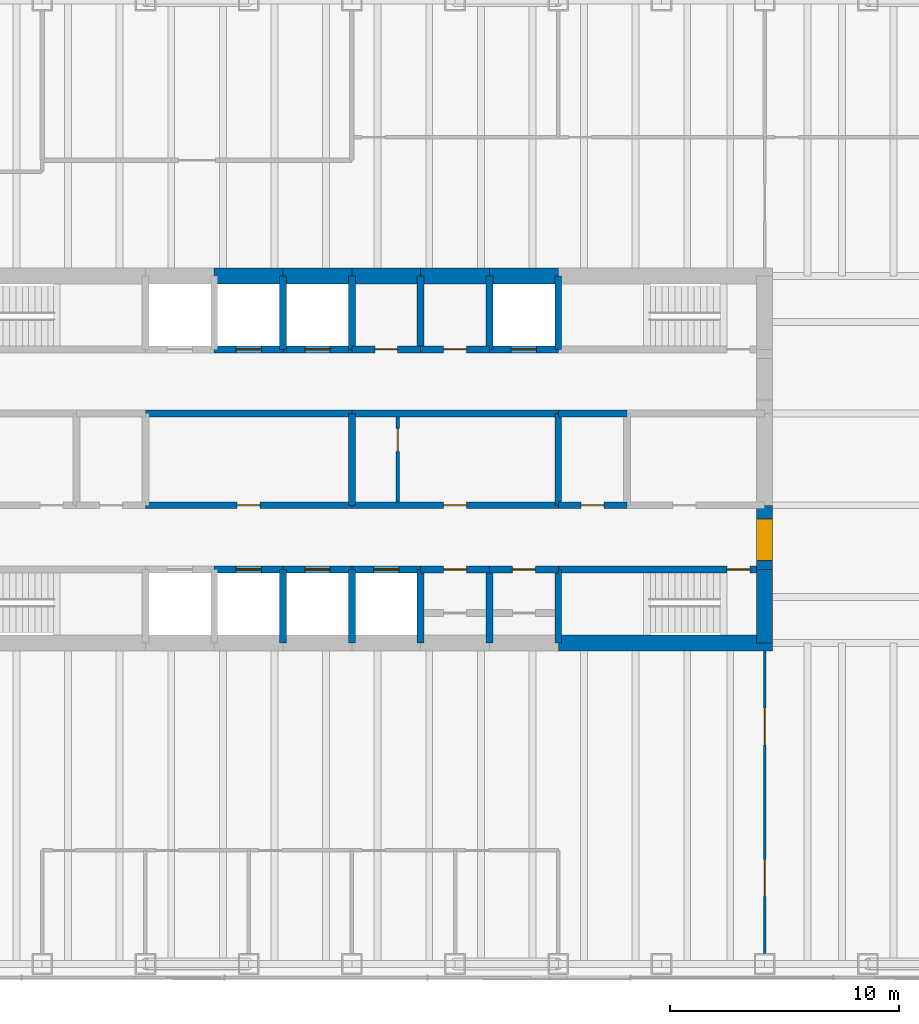
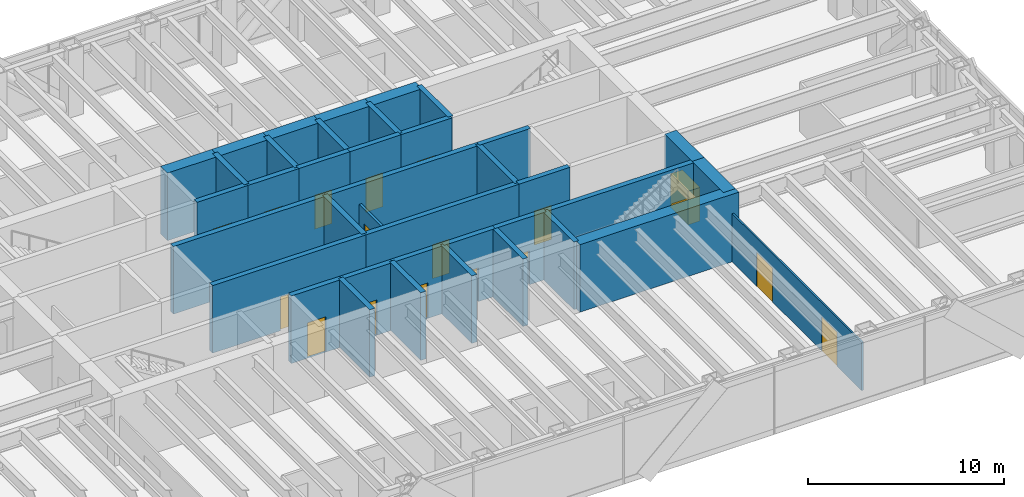
# One storey, part 12 of 15: 39 walls, 18 doors, 18 openings.
"""IFC4 building model written with IfcOpenShell, lengths in metres."""

from ifc_helpers import new_model, si_unit, direction, frame, frame_2d, origin, place, context, subcontext, project, spatial, rectangle, extrude, material, layer, layer_set, type_object, element, fill, save


model = new_model("IFC4")

# Units and contexts
model_context = context("Model", 3, precision=1e-05, world=origin(), true_north=direction((0.0, 1.0)))
body_context = subcontext(model_context, "Body", "Model", "MODEL_VIEW")
ifc_project = project(units=[si_unit("LENGTHUNIT", "METRE"), si_unit("AREAUNIT", "SQUARE_METRE"), si_unit("VOLUMEUNIT", "CUBIC_METRE"), si_unit("PLANEANGLEUNIT", "RADIAN"), si_unit("MASSUNIT", "GRAM", prefix="KILO")], contexts=[model_context])

# Site, building, storey
site_placement = place(None, origin())
site = spatial("IfcSite", under=ifc_project, at=site_placement, CompositionType="ELEMENT")
building_placement = place(site_placement, origin())
building = spatial("IfcBuilding", under=site, at=building_placement, Name="Rheinbord Bourse Tower", CompositionType="ELEMENT")
storey_placement = place(building_placement, frame((0.0, 0.0, 308.89990234375)))
storey = spatial("IfcBuildingStorey", under=building, at=storey_placement, Name="L70", CompositionType="ELEMENT", Elevation=308.89990234375)

# Wall, opening, door
ifc_material_1 = material(Name="Concrete C50/60", Category="concrete")
ifc_layer_1 = layer(ifc_material_1, 0.300048828125)
ifc_layer_set_1 = layer_set([ifc_layer_1], Name="CORE INNER WALL 300")
wall_type_1 = type_object("IfcWallType", Name="CORE INNER WALL 300", PredefinedType="SOLIDWALL", material=ifc_layer_set_1)
wall_1_placement = place(storey_placement, frame((30.0, 19.199951171875, 0.0), z_axis=(0.0, 0.0, 1.0), x_axis=(1.0, 0.0, 0.0)))
wall_1 = element("IfcWall", 1, at=wall_1_placement, inside=storey, type_object=wall_type_1, Name="Core wall A3 L70", PredefinedType="SOLIDWALL", context=body_context, shape_type="SweptSolid", body=[
    extrude(rectangle(XDim=3.0, YDim=0.300048828125, at=frame_2d((1.5, 0.0))), origin(), (0.0, 0.0, 1.0), 4.2001953125),
])
opening_1_placement = place(wall_1_placement, frame((0.949951171875, 0.0, 0.0)))
opening_1 = element("IfcOpeningElement", 2, at=opening_1_placement, cuts=wall_1, Name="Opening PD1", PredefinedType="OPENING", context=body_context, shape_type="SweptSolid", body=[
    extrude(rectangle(XDim=1.10009765625, YDim=2.199951171875, at=frame_2d((0.550048828125, 1.10009765625))), frame((0.0, 0.159912109375, 0.0), z_axis=(0.0, -1.0, 0.0), x_axis=(1.0, 0.0, 0.0)), (0.0, 0.0, 1.0), 0.320068359375),
])
ifc_material_2 = material(Name="Steel landing door", Category="steel")
door_type_1 = type_object("IfcDoorType", Name="LIFT LANDING DOOR 1100", OperationType="DOUBLE_DOOR_SLIDING", PredefinedType="USERDEFINED", material=ifc_material_2)
door_1_placement = place(opening_1_placement, origin())
door_1 = element("IfcDoor", 3, at=door_1_placement, inside=storey, type_object=door_type_1, Name="Lift landing door PD1 L70", ObjectType="LIFT LANDING DOOR", OperationType="DOUBLE_DOOR_SLIDING", OverallHeight=2.199951171875, OverallWidth=1.10009765625, PredefinedType="USERDEFINED", context=body_context, shape_type="SweptSolid", body=[
    extrude(rectangle(XDim=1.10009765625, YDim=2.199951171875, at=frame_2d((0.550048828125, 1.10009765625))), frame((0.0, 0.02490234375, 0.0), z_axis=(0.0, -1.0, 0.0), x_axis=(1.0, 0.0, 0.0)), (0.0, 0.0, 1.0), 0.050048828125),
])
fill(opening_1, door_1)

wall_2_placement = place(storey_placement, frame((33.0, 19.199951171875, 0.0), z_axis=(0.0, 0.0, 1.0), x_axis=(1.0, 0.0, 0.0)))
wall_2 = element("IfcWall", 4, at=wall_2_placement, inside=storey, type_object=wall_type_1, Name="Core wall A4 L70", PredefinedType="SOLIDWALL", context=body_context, shape_type="SweptSolid", body=[
    extrude(rectangle(XDim=3.0, YDim=0.300048828125, at=frame_2d((1.5, 0.0))), origin(), (0.0, 0.0, 1.0), 4.2001953125),
])
opening_2_placement = place(wall_2_placement, frame((0.949951171875, 0.0, 0.0)))
opening_2 = element("IfcOpeningElement", 5, at=opening_2_placement, cuts=wall_2, Name="Opening PD2", PredefinedType="OPENING", context=body_context, shape_type="SweptSolid", body=[
    extrude(rectangle(XDim=1.10009765625, YDim=2.199951171875, at=frame_2d((0.550048828125, 1.10009765625))), frame((0.0, 0.159912109375, 0.0), z_axis=(0.0, -1.0, 0.0), x_axis=(1.0, 0.0, 0.0)), (0.0, 0.0, 1.0), 0.320068359375),
])
door_2_placement = place(opening_2_placement, origin())
door_2 = element("IfcDoor", 6, at=door_2_placement, inside=storey, type_object=door_type_1, Name="Lift landing door PD2 L70", ObjectType="LIFT LANDING DOOR", OperationType="DOUBLE_DOOR_SLIDING", OverallHeight=2.199951171875, OverallWidth=1.10009765625, PredefinedType="USERDEFINED", context=body_context, shape_type="SweptSolid", body=[
    extrude(rectangle(XDim=1.10009765625, YDim=2.199951171875, at=frame_2d((0.550048828125, 1.10009765625))), frame((0.0, 0.02490234375, 0.0), z_axis=(0.0, -1.0, 0.0), x_axis=(1.0, 0.0, 0.0)), (0.0, 0.0, 1.0), 0.050048828125),
])
fill(opening_2, door_2)

wall_3_placement = place(storey_placement, frame((36.0, 19.199951171875, 0.0), z_axis=(0.0, 0.0, 1.0), x_axis=(1.0, 0.0, 0.0)))
wall_3 = element("IfcWall", 7, at=wall_3_placement, inside=storey, type_object=wall_type_1, Name="Core wall A5 L70", PredefinedType="SOLIDWALL", context=body_context, shape_type="SweptSolid", body=[
    extrude(rectangle(XDim=3.0, YDim=0.300048828125, at=frame_2d((1.5, 0.0))), origin(), (0.0, 0.0, 1.0), 4.2001953125),
])
opening_3_placement = place(wall_3_placement, frame((0.949951171875, 0.0, 0.0)))
opening_3 = element("IfcOpeningElement", 8, at=opening_3_placement, cuts=wall_3, Name="Opening PD3", PredefinedType="OPENING", context=body_context, shape_type="SweptSolid", body=[
    extrude(rectangle(XDim=1.10009765625, YDim=2.199951171875, at=frame_2d((0.550048828125, 1.10009765625))), frame((0.0, 0.159912109375, 0.0), z_axis=(0.0, -1.0, 0.0), x_axis=(1.0, 0.0, 0.0)), (0.0, 0.0, 1.0), 0.320068359375),
])
door_3_placement = place(opening_3_placement, origin())
door_3 = element("IfcDoor", 9, at=door_3_placement, inside=storey, type_object=door_type_1, Name="Lift landing door PD3 L70", ObjectType="LIFT LANDING DOOR", OperationType="DOUBLE_DOOR_SLIDING", OverallHeight=2.199951171875, OverallWidth=1.10009765625, PredefinedType="USERDEFINED", context=body_context, shape_type="SweptSolid", body=[
    extrude(rectangle(XDim=1.10009765625, YDim=2.199951171875, at=frame_2d((0.550048828125, 1.10009765625))), frame((0.0, 0.02490234375, 0.0), z_axis=(0.0, -1.0, 0.0), x_axis=(1.0, 0.0, 0.0)), (0.0, 0.0, 1.0), 0.050048828125),
])
fill(opening_3, door_3)

wall_4_placement = place(storey_placement, frame((39.0, 19.199951171875, 0.0), z_axis=(0.0, 0.0, 1.0), x_axis=(1.0, 0.0, 0.0)))
wall_4 = element("IfcWall", 10, at=wall_4_placement, inside=storey, type_object=wall_type_1, Name="Core wall A6 L70", PredefinedType="SOLIDWALL", context=body_context, shape_type="SweptSolid", body=[
    extrude(rectangle(XDim=3.0, YDim=0.300048828125, at=frame_2d((1.5, 0.0))), origin(), (0.0, 0.0, 1.0), 4.2001953125),
])
opening_4_placement = place(wall_4_placement, frame((1.0, 0.0, 0.0)))
opening_4 = element("IfcOpeningElement", 11, at=opening_4_placement, cuts=wall_4, Name="Opening 70R8", PredefinedType="OPENING", context=body_context, shape_type="SweptSolid", body=[
    extrude(rectangle(XDim=1.0, YDim=2.10009765625, at=frame_2d((0.5, 1.050048828125))), frame((0.0, 0.159912109375, 0.0), z_axis=(0.0, -1.0, 0.0), x_axis=(1.0, 0.0, 0.0)), (0.0, 0.0, 1.0), 0.320068359375),
])
ifc_material_3 = material(Name="Steel door", Category="steel")
door_type_2 = type_object("IfcDoorType", Name="DOOR 1000 EI30", OperationType="SINGLE_SWING_LEFT", PredefinedType="DOOR", material=ifc_material_3)
door_4_placement = place(opening_4_placement, origin())
door_4 = element("IfcDoor", 12, at=door_4_placement, inside=storey, type_object=door_type_2, Name="Supplies store door L70", OperationType="SINGLE_SWING_LEFT", OverallHeight=2.10009765625, OverallWidth=1.0, PredefinedType="DOOR", context=body_context, shape_type="SweptSolid", body=[
    extrude(rectangle(XDim=1.0, YDim=2.10009765625, at=frame_2d((0.5, 1.050048828125))), frame((0.0, 0.02490234375, 0.0), z_axis=(0.0, -1.0, 0.0), x_axis=(1.0, 0.0, 0.0)), (0.0, 0.0, 1.0), 0.050048828125),
])
fill(opening_4, door_4)

wall_5_placement = place(storey_placement, frame((42.0, 19.199951171875, 0.0), z_axis=(0.0, 0.0, 1.0), x_axis=(1.0, 0.0, 0.0)))
wall_5 = element("IfcWall", 13, at=wall_5_placement, inside=storey, type_object=wall_type_1, Name="Core wall A7 L70", PredefinedType="SOLIDWALL", context=body_context, shape_type="SweptSolid", body=[
    extrude(rectangle(XDim=3.0, YDim=0.300048828125, at=frame_2d((1.5, 0.0))), origin(), (0.0, 0.0, 1.0), 4.2001953125),
])
opening_5_placement = place(wall_5_placement, frame((1.0, 0.0, 0.0)))
opening_5 = element("IfcOpeningElement", 14, at=opening_5_placement, cuts=wall_5, Name="Opening 70R9", PredefinedType="OPENING", context=body_context, shape_type="SweptSolid", body=[
    extrude(rectangle(XDim=1.0, YDim=2.10009765625, at=frame_2d((0.5, 1.050048828125))), frame((0.0, 0.159912109375, 0.0), z_axis=(0.0, -1.0, 0.0), x_axis=(1.0, 0.0, 0.0)), (0.0, 0.0, 1.0), 0.320068359375),
])
door_5_placement = place(opening_5_placement, origin())
door_5 = element("IfcDoor", 15, at=door_5_placement, inside=storey, type_object=door_type_2, Name="IT room door L70", OperationType="SINGLE_SWING_LEFT", OverallHeight=2.10009765625, OverallWidth=1.0, PredefinedType="DOOR", context=body_context, shape_type="SweptSolid", body=[
    extrude(rectangle(XDim=1.0, YDim=2.10009765625, at=frame_2d((0.5, 1.050048828125))), frame((0.0, 0.02490234375, 0.0), z_axis=(0.0, -1.0, 0.0), x_axis=(1.0, 0.0, 0.0)), (0.0, 0.0, 1.0), 0.050048828125),
])
fill(opening_5, door_5)

wall_6_placement = place(storey_placement, frame((45.0, 19.199951171875, 0.0), z_axis=(0.0, 0.0, 1.0), x_axis=(1.0, 0.0, 0.0)))
wall_6 = element("IfcWall", 16, at=wall_6_placement, inside=storey, type_object=wall_type_1, Name="Core wall A8 L70", PredefinedType="SOLIDWALL", context=body_context, shape_type="SweptSolid", body=[
    extrude(rectangle(XDim=9.0, YDim=0.300048828125, at=frame_2d((4.5, 0.0))), origin(), (0.0, 0.0, 1.0), 4.2001953125),
])
opening_6_placement = place(wall_6_placement, frame((7.35009765625, 0.0, 0.0)))
opening_6 = element("IfcOpeningElement", 17, at=opening_6_placement, cuts=wall_6, Name="Opening 7030", PredefinedType="OPENING", context=body_context, shape_type="SweptSolid", body=[
    extrude(rectangle(XDim=1.0, YDim=2.10009765625, at=frame_2d((0.5, 1.050048828125))), frame((0.0, 0.159912109375, 0.0), z_axis=(0.0, -1.0, 0.0), x_axis=(1.0, 0.0, 0.0)), (0.0, 0.0, 1.0), 0.320068359375),
])
door_6_placement = place(opening_6_placement, origin())
door_6 = element("IfcDoor", 18, at=door_6_placement, inside=storey, type_object=door_type_2, Name="Stair door ST3 L70", OperationType="SINGLE_SWING_RIGHT", OverallHeight=2.10009765625, OverallWidth=1.0, PredefinedType="DOOR", context=body_context, shape_type="SweptSolid", body=[
    extrude(rectangle(XDim=1.0, YDim=2.10009765625, at=frame_2d((0.5, 1.050048828125))), frame((0.0, 0.02490234375, 0.0), z_axis=(0.0, -1.0, 0.0), x_axis=(1.0, 0.0, 0.0)), (0.0, 0.0, 1.0), 0.050048828125),
])
fill(opening_6, door_6)

wall_7_placement = place(storey_placement, frame((30.0, 28.800048828125, 0.0), z_axis=(0.0, 0.0, 1.0), x_axis=(1.0, 0.0, 0.0)))
wall_7 = element("IfcWall", 19, at=wall_7_placement, inside=storey, type_object=wall_type_1, Name="Core wall B3 L70", PredefinedType="SOLIDWALL", context=body_context, shape_type="SweptSolid", body=[
    extrude(rectangle(XDim=3.0, YDim=0.300048828125, at=frame_2d((1.5, 0.0))), origin(), (0.0, 0.0, 1.0), 4.2001953125),
])
opening_7_placement = place(wall_7_placement, frame((0.949951171875, 0.0, 0.0)))
opening_7 = element("IfcOpeningElement", 20, at=opening_7_placement, cuts=wall_7, Name="Opening PD4", PredefinedType="OPENING", context=body_context, shape_type="SweptSolid", body=[
    extrude(rectangle(XDim=1.10009765625, YDim=2.199951171875, at=frame_2d((0.550048828125, 1.10009765625))), frame((0.0, 0.159912109375, 0.0), z_axis=(0.0, -1.0, 0.0), x_axis=(1.0, 0.0, 0.0)), (0.0, 0.0, 1.0), 0.320068359375),
])
door_7_placement = place(opening_7_placement, origin())
door_7 = element("IfcDoor", 21, at=door_7_placement, inside=storey, type_object=door_type_1, Name="Lift landing door PD4 L70", ObjectType="LIFT LANDING DOOR", OperationType="DOUBLE_DOOR_SLIDING", OverallHeight=2.199951171875, OverallWidth=1.10009765625, PredefinedType="USERDEFINED", context=body_context, shape_type="SweptSolid", body=[
    extrude(rectangle(XDim=1.10009765625, YDim=2.199951171875, at=frame_2d((0.550048828125, 1.10009765625))), frame((0.0, 0.02490234375, 0.0), z_axis=(0.0, -1.0, 0.0), x_axis=(1.0, 0.0, 0.0)), (0.0, 0.0, 1.0), 0.050048828125),
])
fill(opening_7, door_7)

wall_8_placement = place(storey_placement, frame((33.0, 28.800048828125, 0.0), z_axis=(0.0, 0.0, 1.0), x_axis=(1.0, 0.0, 0.0)))
wall_8 = element("IfcWall", 22, at=wall_8_placement, inside=storey, type_object=wall_type_1, Name="Core wall B4 L70", PredefinedType="SOLIDWALL", context=body_context, shape_type="SweptSolid", body=[
    extrude(rectangle(XDim=3.0, YDim=0.300048828125, at=frame_2d((1.5, 0.0))), origin(), (0.0, 0.0, 1.0), 4.2001953125),
])
opening_8_placement = place(wall_8_placement, frame((0.949951171875, 0.0, 0.0)))
opening_8 = element("IfcOpeningElement", 23, at=opening_8_placement, cuts=wall_8, Name="Opening PD5", PredefinedType="OPENING", context=body_context, shape_type="SweptSolid", body=[
    extrude(rectangle(XDim=1.10009765625, YDim=2.199951171875, at=frame_2d((0.550048828125, 1.10009765625))), frame((0.0, 0.159912109375, 0.0), z_axis=(0.0, -1.0, 0.0), x_axis=(1.0, 0.0, 0.0)), (0.0, 0.0, 1.0), 0.320068359375),
])
door_8_placement = place(opening_8_placement, origin())
door_8 = element("IfcDoor", 24, at=door_8_placement, inside=storey, type_object=door_type_1, Name="Lift landing door PD5 L70", ObjectType="LIFT LANDING DOOR", OperationType="DOUBLE_DOOR_SLIDING", OverallHeight=2.199951171875, OverallWidth=1.10009765625, PredefinedType="USERDEFINED", context=body_context, shape_type="SweptSolid", body=[
    extrude(rectangle(XDim=1.10009765625, YDim=2.199951171875, at=frame_2d((0.550048828125, 1.10009765625))), frame((0.0, 0.02490234375, 0.0), z_axis=(0.0, -1.0, 0.0), x_axis=(1.0, 0.0, 0.0)), (0.0, 0.0, 1.0), 0.050048828125),
])
fill(opening_8, door_8)

wall_9_placement = place(storey_placement, frame((36.0, 28.800048828125, 0.0), z_axis=(0.0, 0.0, 1.0), x_axis=(1.0, 0.0, 0.0)))
wall_9 = element("IfcWall", 25, at=wall_9_placement, inside=storey, type_object=wall_type_1, Name="Core wall B5 L70", PredefinedType="SOLIDWALL", context=body_context, shape_type="SweptSolid", body=[
    extrude(rectangle(XDim=3.0, YDim=0.300048828125, at=frame_2d((1.5, 0.0))), origin(), (0.0, 0.0, 1.0), 4.2001953125),
])
opening_9_placement = place(wall_9_placement, frame((1.0, 0.0, 0.0)))
opening_9 = element("IfcOpeningElement", 26, at=opening_9_placement, cuts=wall_9, Name="Opening 70R10", PredefinedType="OPENING", context=body_context, shape_type="SweptSolid", body=[
    extrude(rectangle(XDim=1.0, YDim=2.10009765625, at=frame_2d((0.5, 1.050048828125))), frame((0.0, 0.159912109375, 0.0), z_axis=(0.0, -1.0, 0.0), x_axis=(1.0, 0.0, 0.0)), (0.0, 0.0, 1.0), 0.320068359375),
])
door_9_placement = place(opening_9_placement, origin())
door_9 = element("IfcDoor", 27, at=door_9_placement, inside=storey, type_object=door_type_2, Name="Store door L70", OperationType="SINGLE_SWING_LEFT", OverallHeight=2.10009765625, OverallWidth=1.0, PredefinedType="DOOR", context=body_context, shape_type="SweptSolid", body=[
    extrude(rectangle(XDim=1.0, YDim=2.10009765625, at=frame_2d((0.5, 1.050048828125))), frame((0.0, 0.02490234375, 0.0), z_axis=(0.0, -1.0, 0.0), x_axis=(1.0, 0.0, 0.0)), (0.0, 0.0, 1.0), 0.050048828125),
])
fill(opening_9, door_9)

wall_10_placement = place(storey_placement, frame((39.0, 28.800048828125, 0.0), z_axis=(0.0, 0.0, 1.0), x_axis=(1.0, 0.0, 0.0)))
wall_10 = element("IfcWall", 28, at=wall_10_placement, inside=storey, type_object=wall_type_1, Name="Core wall B6 L70", PredefinedType="SOLIDWALL", context=body_context, shape_type="SweptSolid", body=[
    extrude(rectangle(XDim=3.0, YDim=0.300048828125, at=frame_2d((1.5, 0.0))), origin(), (0.0, 0.0, 1.0), 4.2001953125),
])
opening_10_placement = place(wall_10_placement, frame((1.0, 0.0, 0.0)))
opening_10 = element("IfcOpeningElement", 29, at=opening_10_placement, cuts=wall_10, Name="Opening 70R11", PredefinedType="OPENING", context=body_context, shape_type="SweptSolid", body=[
    extrude(rectangle(XDim=1.0, YDim=2.10009765625, at=frame_2d((0.5, 1.050048828125))), frame((0.0, 0.159912109375, 0.0), z_axis=(0.0, -1.0, 0.0), x_axis=(1.0, 0.0, 0.0)), (0.0, 0.0, 1.0), 0.320068359375),
])
door_10_placement = place(opening_10_placement, origin())
door_10 = element("IfcDoor", 30, at=door_10_placement, inside=storey, type_object=door_type_2, Name="Cleaner's store door L70", OperationType="SINGLE_SWING_LEFT", OverallHeight=2.10009765625, OverallWidth=1.0, PredefinedType="DOOR", context=body_context, shape_type="SweptSolid", body=[
    extrude(rectangle(XDim=1.0, YDim=2.10009765625, at=frame_2d((0.5, 1.050048828125))), frame((0.0, 0.02490234375, 0.0), z_axis=(0.0, -1.0, 0.0), x_axis=(1.0, 0.0, 0.0)), (0.0, 0.0, 1.0), 0.050048828125),
])
fill(opening_10, door_10)

wall_11_placement = place(storey_placement, frame((42.0, 28.800048828125, 0.0), z_axis=(0.0, 0.0, 1.0), x_axis=(1.0, 0.0, 0.0)))
wall_11 = element("IfcWall", 31, at=wall_11_placement, inside=storey, type_object=wall_type_1, Name="Core wall B7 L70", PredefinedType="SOLIDWALL", context=body_context, shape_type="SweptSolid", body=[
    extrude(rectangle(XDim=3.0, YDim=0.300048828125, at=frame_2d((1.5, 0.0))), origin(), (0.0, 0.0, 1.0), 4.2001953125),
])
opening_11_placement = place(wall_11_placement, frame((0.949951171875, 0.0, 0.0)))
opening_11 = element("IfcOpeningElement", 32, at=opening_11_placement, cuts=wall_11, Name="Opening FL2", PredefinedType="OPENING", context=body_context, shape_type="SweptSolid", body=[
    extrude(rectangle(XDim=1.10009765625, YDim=2.199951171875, at=frame_2d((0.550048828125, 1.10009765625))), frame((0.0, 0.159912109375, 0.0), z_axis=(0.0, -1.0, 0.0), x_axis=(1.0, 0.0, 0.0)), (0.0, 0.0, 1.0), 0.320068359375),
])
door_11_placement = place(opening_11_placement, origin())
door_11 = element("IfcDoor", 33, at=door_11_placement, inside=storey, type_object=door_type_1, Name="Lift landing door FL2 L70", ObjectType="LIFT LANDING DOOR", OperationType="DOUBLE_DOOR_SLIDING", OverallHeight=2.199951171875, OverallWidth=1.10009765625, PredefinedType="USERDEFINED", context=body_context, shape_type="SweptSolid", body=[
    extrude(rectangle(XDim=1.10009765625, YDim=2.199951171875, at=frame_2d((0.550048828125, 1.10009765625))), frame((0.0, 0.02490234375, 0.0), z_axis=(0.0, -1.0, 0.0), x_axis=(1.0, 0.0, 0.0)), (0.0, 0.0, 1.0), 0.050048828125),
])
fill(opening_11, door_11)

wall_12_placement = place(storey_placement, frame((27.0, 22.0, 0.0), z_axis=(0.0, 0.0, 1.0), x_axis=(1.0, 0.0, 0.0)))
wall_12 = element("IfcWall", 34, at=wall_12_placement, inside=storey, type_object=wall_type_1, Name="Core wall C3 L70", PredefinedType="SOLIDWALL", context=body_context, shape_type="SweptSolid", body=[
    extrude(rectangle(XDim=9.0, YDim=0.300048828125, at=frame_2d((4.5, 0.0))), origin(), (0.0, 0.0, 1.0), 4.2001953125),
])
opening_12_placement = place(wall_12_placement, frame((4.0, 0.0, 0.0)))
opening_12 = element("IfcOpeningElement", 35, at=opening_12_placement, cuts=wall_12, Name="Opening 70R3", PredefinedType="OPENING", context=body_context, shape_type="SweptSolid", body=[
    extrude(rectangle(XDim=1.0, YDim=2.10009765625, at=frame_2d((0.5, 1.050048828125))), frame((0.0, 0.159912109375, 0.0), z_axis=(0.0, -1.0, 0.0), x_axis=(1.0, 0.0, 0.0)), (0.0, 0.0, 1.0), 0.320068359375),
])
door_12_placement = place(opening_12_placement, origin())
door_12 = element("IfcDoor", 36, at=door_12_placement, inside=storey, type_object=door_type_2, Name="Riser door L70", OperationType="SINGLE_SWING_LEFT", OverallHeight=2.10009765625, OverallWidth=1.0, PredefinedType="DOOR", context=body_context, shape_type="SweptSolid", body=[
    extrude(rectangle(XDim=1.0, YDim=2.10009765625, at=frame_2d((0.5, 1.050048828125))), frame((0.0, 0.02490234375, 0.0), z_axis=(0.0, -1.0, 0.0), x_axis=(1.0, 0.0, 0.0)), (0.0, 0.0, 1.0), 0.050048828125),
])
fill(opening_12, door_12)

wall_13_placement = place(storey_placement, frame((36.0, 22.0, 0.0), z_axis=(0.0, 0.0, 1.0), x_axis=(1.0, 0.0, 0.0)))
wall_13 = element("IfcWall", 37, at=wall_13_placement, inside=storey, type_object=wall_type_1, Name="Core wall C4 L70", PredefinedType="SOLIDWALL", context=body_context, shape_type="SweptSolid", body=[
    extrude(rectangle(XDim=9.0, YDim=0.300048828125, at=frame_2d((4.5, 0.0))), origin(), (0.0, 0.0, 1.0), 4.2001953125),
])
opening_13_placement = place(wall_13_placement, frame((4.0, 0.0, 0.0)))
opening_13 = element("IfcOpeningElement", 38, at=opening_13_placement, cuts=wall_13, Name="Opening 70R4", PredefinedType="OPENING", context=body_context, shape_type="SweptSolid", body=[
    extrude(rectangle(XDim=1.0, YDim=2.10009765625, at=frame_2d((0.5, 1.050048828125))), frame((0.0, 0.159912109375, 0.0), z_axis=(0.0, -1.0, 0.0), x_axis=(1.0, 0.0, 0.0)), (0.0, 0.0, 1.0), 0.320068359375),
])
door_13_placement = place(opening_13_placement, origin())
door_13 = element("IfcDoor", 39, at=door_13_placement, inside=storey, type_object=door_type_2, Name="Staff locker room door L70", OperationType="SINGLE_SWING_LEFT", OverallHeight=2.10009765625, OverallWidth=1.0, PredefinedType="DOOR", context=body_context, shape_type="SweptSolid", body=[
    extrude(rectangle(XDim=1.0, YDim=2.10009765625, at=frame_2d((0.5, 1.050048828125))), frame((0.0, 0.02490234375, 0.0), z_axis=(0.0, -1.0, 0.0), x_axis=(1.0, 0.0, 0.0)), (0.0, 0.0, 1.0), 0.050048828125),
])
fill(opening_13, door_13)

wall_14_placement = place(storey_placement, frame((45.0, 22.0, 0.0), z_axis=(0.0, 0.0, 1.0), x_axis=(1.0, 0.0, 0.0)))
wall_14 = element("IfcWall", 40, at=wall_14_placement, inside=storey, type_object=wall_type_1, Name="Core wall C5 L70", PredefinedType="SOLIDWALL", context=body_context, shape_type="SweptSolid", body=[
    extrude(rectangle(XDim=3.0, YDim=0.300048828125, at=frame_2d((1.5, 0.0))), origin(), (0.0, 0.0, 1.0), 4.2001953125),
])
opening_14_placement = place(wall_14_placement, frame((1.0, 0.0, 0.0)))
opening_14 = element("IfcOpeningElement", 41, at=opening_14_placement, cuts=wall_14, Name="Opening 70R5", PredefinedType="OPENING", context=body_context, shape_type="SweptSolid", body=[
    extrude(rectangle(XDim=1.0, YDim=2.10009765625, at=frame_2d((0.5, 1.050048828125))), frame((0.0, 0.159912109375, 0.0), z_axis=(0.0, -1.0, 0.0), x_axis=(1.0, 0.0, 0.0)), (0.0, 0.0, 1.0), 0.320068359375),
])
ifc_material_4 = material(Name="Timber door", Category="wood")
door_type_3 = type_object("IfcDoorType", Name="DOOR 1000 WC", OperationType="SINGLE_SWING_LEFT", PredefinedType="DOOR", material=ifc_material_4)
door_14_placement = place(opening_14_placement, origin())
door_14 = element("IfcDoor", 42, at=door_14_placement, inside=storey, type_object=door_type_3, Name="Accessible WC door L70", OperationType="SINGLE_SWING_LEFT", OverallHeight=2.10009765625, OverallWidth=1.0, PredefinedType="DOOR", context=body_context, shape_type="SweptSolid", body=[
    extrude(rectangle(XDim=1.0, YDim=2.10009765625, at=frame_2d((0.5, 1.050048828125))), frame((0.0, 0.02490234375, 0.0), z_axis=(0.0, -1.0, 0.0), x_axis=(1.0, 0.0, 0.0)), (0.0, 0.0, 1.0), 0.050048828125),
])
fill(opening_14, door_14)

# Walls
for number, where, z_axis, x_axis, name in (
    (43, (27.0, 26.0, 0.0), (0.0, 0.0, 1.0), (1.0, 0.0, 0.0), "Core wall D3 L70"),
    (44, (36.0, 26.0, 0.0), (0.0, 0.0, 1.0), (1.0, 0.0, 0.0), "Core wall D4 L70"),
):
    element("IfcWall", number, at=place(storey_placement, frame(where, z_axis=z_axis, x_axis=x_axis)), inside=storey, type_object=wall_type_1, Name=name, PredefinedType="SOLIDWALL", context=body_context, shape_type="SweptSolid", body=[
        extrude(rectangle(XDim=9.0, YDim=0.300048828125, at=frame_2d((4.5, 0.0))), origin(), (0.0, 0.0, 1.0), 4.2001953125),
    ])
wall_15_placement = place(storey_placement, frame((45.0, 26.0, 0.0), z_axis=(0.0, 0.0, 1.0), x_axis=(1.0, 0.0, 0.0)))
element("IfcWall", 45, at=wall_15_placement, inside=storey, type_object=wall_type_1, Name="Core wall D5 L70", PredefinedType="SOLIDWALL", context=body_context, shape_type="SweptSolid", body=[
    extrude(rectangle(XDim=3.0, YDim=0.300048828125, at=frame_2d((1.5, 0.0))), origin(), (0.0, 0.0, 1.0), 4.2001953125),
])
for number, where, z_axis, x_axis, name in (
    (46, (33.0, 16.0, 0.0), (0.0, 0.0, 1.0), (0.0, 1.0, 0.0), "Core wall SX33 L70"),
    (47, (33.0, 28.800048828125, 0.0), (0.0, 0.0, 1.0), (0.0, 1.0, 0.0), "Core wall NX33 L70"),
    (48, (36.0, 16.0, 0.0), (0.0, 0.0, 1.0), (0.0, 1.0, 0.0), "Core wall SX36 L70"),
    (49, (36.0, 28.800048828125, 0.0), (0.0, 0.0, 1.0), (0.0, 1.0, 0.0), "Core wall NX36 L70"),
    (50, (39.0, 16.0, 0.0), (0.0, 0.0, 1.0), (0.0, 1.0, 0.0), "Core wall SX39 L70"),
    (51, (39.0, 28.800048828125, 0.0), (0.0, 0.0, 1.0), (0.0, 1.0, 0.0), "Core wall NX39 L70"),
    (52, (42.0, 16.0, 0.0), (0.0, 0.0, 1.0), (0.0, 1.0, 0.0), "Core wall SX42 L70"),
    (53, (42.0, 28.800048828125, 0.0), (0.0, 0.0, 1.0), (0.0, 1.0, 0.0), "Core wall NX42 L70"),
    (54, (45.0, 16.0, 0.0), (0.0, 0.0, 1.0), (0.0, 1.0, 0.0), "Core wall SX45 L70"),
    (55, (45.0, 28.800048828125, 0.0), (0.0, 0.0, 1.0), (0.0, 1.0, 0.0), "Core wall NX45 L70"),
):
    element("IfcWall", number, at=place(storey_placement, frame(where, z_axis=z_axis, x_axis=x_axis)), inside=storey, type_object=wall_type_1, Name=name, PredefinedType="SOLIDWALL", context=body_context, shape_type="SweptSolid", body=[
        extrude(rectangle(XDim=3.199951171875, YDim=0.300048828125, at=frame_2d((1.60009765625, 0.0))), origin(), (0.0, 0.0, 1.0), 4.2001953125),
    ])
for number, where, z_axis, x_axis, name in (
    (56, (36.0, 22.0, 0.0), (0.0, 0.0, 1.0), (0.0, 1.0, 0.0), "Core wall MX36 L70"),
    (57, (45.0, 22.0, 0.0), (0.0, 0.0, 1.0), (0.0, 1.0, 0.0), "Core wall MX45 L70"),
):
    element("IfcWall", number, at=place(storey_placement, frame(where, z_axis=z_axis, x_axis=x_axis)), inside=storey, type_object=wall_type_1, Name=name, PredefinedType="SOLIDWALL", context=body_context, shape_type="SweptSolid", body=[
        extrude(rectangle(XDim=4.0, YDim=0.300048828125, at=frame_2d((2.0, 0.0))), origin(), (0.0, 0.0, 1.0), 4.2001953125),
    ])

# Wall, opening, door
ifc_material_5 = material(Name="Gypsum board fire partition", Category="gypsum board")
ifc_layer_2 = layer(ifc_material_5, 0.14990234375)
ifc_layer_set_2 = layer_set([ifc_layer_2], Name="CORE PARTITION 150 EI30")
wall_type_2 = type_object("IfcWallType", Name="CORE PARTITION 150 EI30", PredefinedType="PARTITIONING", material=ifc_layer_set_2)
wall_16_placement = place(storey_placement, frame((38.0, 22.14990234375, 0.0), z_axis=(0.0, 0.0, 1.0), x_axis=(0.0, 1.0, 0.0)))
wall_16 = element("IfcWall", 58, at=wall_16_placement, inside=storey, type_object=wall_type_2, Name="Core partition L70-1", PredefinedType="PARTITIONING", context=body_context, shape_type="SweptSolid", body=[
    extrude(rectangle(XDim=3.7001953125, YDim=0.14990234375, at=frame_2d((1.85009765625, 0.0))), origin(), (0.0, 0.0, 1.0), 3.0),
])
opening_15_placement = place(wall_16_placement, frame((2.199951171875, 0.0, 0.0)))
opening_15 = element("IfcOpeningElement", 59, at=opening_15_placement, cuts=wall_16, Name="Opening 70R7", PredefinedType="OPENING", context=body_context, shape_type="SweptSolid", body=[
    extrude(rectangle(XDim=1.0, YDim=2.10009765625, at=frame_2d((0.5, 1.050048828125))), frame((0.0, 0.0849609375, 0.0), z_axis=(0.0, -1.0, 0.0), x_axis=(1.0, 0.0, 0.0)), (0.0, 0.0, 1.0), 0.169921875),
])
door_15_placement = place(opening_15_placement, origin())
door_15 = element("IfcDoor", 60, at=door_15_placement, inside=storey, type_object=door_type_2, Name="Staff shower door L70", OperationType="SINGLE_SWING_RIGHT", OverallHeight=2.10009765625, OverallWidth=1.0, PredefinedType="DOOR", context=body_context, shape_type="SweptSolid", body=[
    extrude(rectangle(XDim=1.0, YDim=2.10009765625, at=frame_2d((0.5, 1.050048828125))), frame((0.0, 0.02490234375, 0.0), z_axis=(0.0, -1.0, 0.0), x_axis=(1.0, 0.0, 0.0)), (0.0, 0.0, 1.0), 0.050048828125),
])
fill(opening_15, door_15)

# Walls
ifc_material_6 = material(Name="Concrete C50/60", Category="concrete")
ifc_layer_3 = layer(ifc_material_6, 0.699951171875)
ifc_layer_set_3 = layer_set([ifc_layer_3], Name="CORE WALL 700")
wall_type_3 = type_object("IfcWallType", Name="CORE WALL 700", PredefinedType="SHEAR", material=ifc_layer_set_3)
wall_17_placement = place(storey_placement, frame((45.0, 16.0, 0.0), z_axis=(0.0, 0.0, 1.0), x_axis=(1.0, 0.0, 0.0)))
element("IfcWall", 61, at=wall_17_placement, inside=storey, type_object=wall_type_3, Name="Core wall S8 L70", PredefinedType="SHEAR", context=body_context, shape_type="SweptSolid", body=[
    extrude(rectangle(XDim=9.35009765625, YDim=0.699951171875, at=frame_2d((4.675048828125, 0.0))), origin(), (0.0, 0.0, 1.0), 4.2001953125),
])
for number, where, z_axis, x_axis, name in (
    (62, (45.0, 32.0, 0.0), (0.0, 0.0, 1.0), (-1.0, 0.0, 0.0), "Core wall N2 L70"),
    (63, (42.0, 32.0, 0.0), (0.0, 0.0, 1.0), (-1.0, 0.0, 0.0), "Core wall N3 L70"),
    (64, (39.0, 32.0, 0.0), (0.0, 0.0, 1.0), (-1.0, 0.0, 0.0), "Core wall N4 L70"),
    (65, (36.0, 32.0, 0.0), (0.0, 0.0, 1.0), (-1.0, 0.0, 0.0), "Core wall N5 L70"),
    (66, (33.0, 32.0, 0.0), (0.0, 0.0, 1.0), (-1.0, 0.0, 0.0), "Core wall N6 L70"),
):
    element("IfcWall", number, at=place(storey_placement, frame(where, z_axis=z_axis, x_axis=x_axis)), inside=storey, type_object=wall_type_3, Name=name, PredefinedType="SHEAR", context=body_context, shape_type="SweptSolid", body=[
        extrude(rectangle(XDim=3.0, YDim=0.699951171875, at=frame_2d((1.5, 0.0))), origin(), (0.0, 0.0, 1.0), 4.2001953125),
    ])
wall_18_placement = place(storey_placement, frame((54.0, 16.0, 0.0), z_axis=(0.0, 0.0, 1.0), x_axis=(0.0, 1.0, 0.0)))
element("IfcWall", 67, at=wall_18_placement, inside=storey, type_object=wall_type_3, Name="Core wall E1 L70", PredefinedType="SHEAR", context=body_context, shape_type="SweptSolid", body=[
    extrude(rectangle(XDim=3.199951171875, YDim=0.699951171875, at=frame_2d((1.60009765625, 0.0))), origin(), (0.0, 0.0, 1.0), 4.2001953125),
])

# Wall, opening, door
wall_19_placement = place(storey_placement, frame((54.0, 19.199951171875, 0.0), z_axis=(0.0, 0.0, 1.0), x_axis=(0.0, 1.0, 0.0)))
wall_19 = element("IfcWall", 68, at=wall_19_placement, inside=storey, type_object=wall_type_3, Name="Core wall E2 L70", PredefinedType="SHEAR", context=body_context, shape_type="SweptSolid", body=[
    extrude(rectangle(XDim=2.800048828125, YDim=0.699951171875, at=frame_2d((1.39990234375, 0.0))), origin(), (0.0, 0.0, 1.0), 4.2001953125),
])
opening_16_placement = place(wall_19_placement, frame((0.39990234375, 0.0, 0.0)))
opening_16 = element("IfcOpeningElement", 69, at=opening_16_placement, cuts=wall_19, Name="Opening 70L3", PredefinedType="OPENING", context=body_context, shape_type="SweptSolid", body=[
    extrude(rectangle(XDim=1.800048828125, YDim=2.10009765625, at=frame_2d((0.89990234375, 1.050048828125))), frame((0.0, 0.35986328125, 0.0), z_axis=(0.0, -1.0, 0.0), x_axis=(1.0, 0.0, 0.0)), (0.0, 0.0, 1.0), 0.719970703125),
])
ifc_material_7 = material(Name="Steel door", Category="steel")
door_type_4 = type_object("IfcDoorType", Name="DOOR 1800 EI30 DOUBLE", OperationType="DOUBLE_DOOR_DOUBLE_SWING", PredefinedType="DOOR", material=ifc_material_7)
door_16_placement = place(opening_16_placement, origin())
door_16 = element("IfcDoor", 70, at=door_16_placement, inside=storey, type_object=door_type_4, Name="Lobby door 3 L70", OperationType="SINGLE_SWING_LEFT", OverallHeight=2.10009765625, OverallWidth=1.800048828125, PredefinedType="DOOR", context=body_context, shape_type="SweptSolid", body=[
    extrude(rectangle(XDim=1.800048828125, YDim=2.10009765625, at=frame_2d((0.89990234375, 1.050048828125))), frame((0.0, 0.349609375, 0.0), z_axis=(0.0, -1.0, 0.0), x_axis=(1.0, 0.0, 0.0)), (0.0, 0.0, 1.0), 0.699462890625),
])
fill(opening_16, door_16)

# Wall, openings, doors
ifc_material_8 = material(Name="Toughened laminated glass partition", Category="glass")
ifc_layer_4 = layer(ifc_material_8, 0.10009765625)
ifc_layer_set_4 = layer_set([ifc_layer_4], Name="GLAZED PARTITION 100")
wall_type_4 = type_object("IfcWallType", Name="GLAZED PARTITION 100", PredefinedType="PARTITIONING", material=ifc_layer_set_4)
wall_20_placement = place(storey_placement, frame((54.0, 2.449951171875, 0.0), z_axis=(0.0, 0.0, 1.0), x_axis=(0.0, 1.0, 0.0)))
wall_20 = element("IfcWall", 71, at=wall_20_placement, inside=storey, type_object=wall_type_4, Name="Partition L70-23", PredefinedType="PARTITIONING", context=body_context, shape_type="SweptSolid", body=[
    extrude(rectangle(XDim=13.199951171875, YDim=0.10009765625, at=frame_2d((6.60009765625, 0.0))), origin(), (0.0, 0.0, 1.0), 3.0),
])
opening_17_placement = place(wall_20_placement, frame((2.5, 0.0, 0.0)))
opening_17 = element("IfcOpeningElement", 72, at=opening_17_placement, cuts=wall_20, Name="Opening 70D16", PredefinedType="OPENING", context=body_context, shape_type="SweptSolid", body=[
    extrude(rectangle(XDim=1.60009765625, YDim=2.10009765625, at=frame_2d((0.800048828125, 1.050048828125))), frame((0.0, 0.06005859375, 0.0), z_axis=(0.0, -1.0, 0.0), x_axis=(1.0, 0.0, 0.0)), (0.0, 0.0, 1.0), 0.1201171875),
])
opening_18_placement = place(wall_20_placement, frame((9.10009765625, 0.0, 0.0)))
opening_18 = element("IfcOpeningElement", 73, at=opening_18_placement, cuts=wall_20, Name="Opening 70D17", PredefinedType="OPENING", context=body_context, shape_type="SweptSolid", body=[
    extrude(rectangle(XDim=1.60009765625, YDim=2.10009765625, at=frame_2d((0.800048828125, 1.050048828125))), frame((0.0, 0.06005859375, 0.0), z_axis=(0.0, -1.0, 0.0), x_axis=(1.0, 0.0, 0.0)), (0.0, 0.0, 1.0), 0.1201171875),
])
ifc_material_9 = material(Name="Timber door", Category="wood")
door_type_5 = type_object("IfcDoorType", Name="DOUBLE ROOM DOOR 1600", OperationType="DOUBLE_DOOR_DOUBLE_SWING", PredefinedType="DOOR", material=ifc_material_9)
door_17_placement = place(opening_17_placement, origin())
door_17 = element("IfcDoor", 74, at=door_17_placement, inside=storey, type_object=door_type_5, Name="Open area door L70", OperationType="SINGLE_SWING_LEFT", OverallHeight=2.10009765625, OverallWidth=1.60009765625, PredefinedType="DOOR", context=body_context, shape_type="SweptSolid", body=[
    extrude(rectangle(XDim=1.60009765625, YDim=2.10009765625, at=frame_2d((0.800048828125, 1.050048828125))), frame((0.0, 0.02490234375, 0.0), z_axis=(0.0, -1.0, 0.0), x_axis=(1.0, 0.0, 0.0)), (0.0, 0.0, 1.0), 0.050048828125),
])
fill(opening_17, door_17)
door_18_placement = place(opening_18_placement, origin())
door_18 = element("IfcDoor", 75, at=door_18_placement, inside=storey, type_object=door_type_5, Name="Open area door L70", OperationType="SINGLE_SWING_LEFT", OverallHeight=2.10009765625, OverallWidth=1.60009765625, PredefinedType="DOOR", context=body_context, shape_type="SweptSolid", body=[
    extrude(rectangle(XDim=1.60009765625, YDim=2.10009765625, at=frame_2d((0.800048828125, 1.050048828125))), frame((0.0, 0.02490234375, 0.0), z_axis=(0.0, -1.0, 0.0), x_axis=(1.0, 0.0, 0.0)), (0.0, 0.0, 1.0), 0.050048828125),
])
fill(opening_18, door_18)

save(model, "model.ifc")
